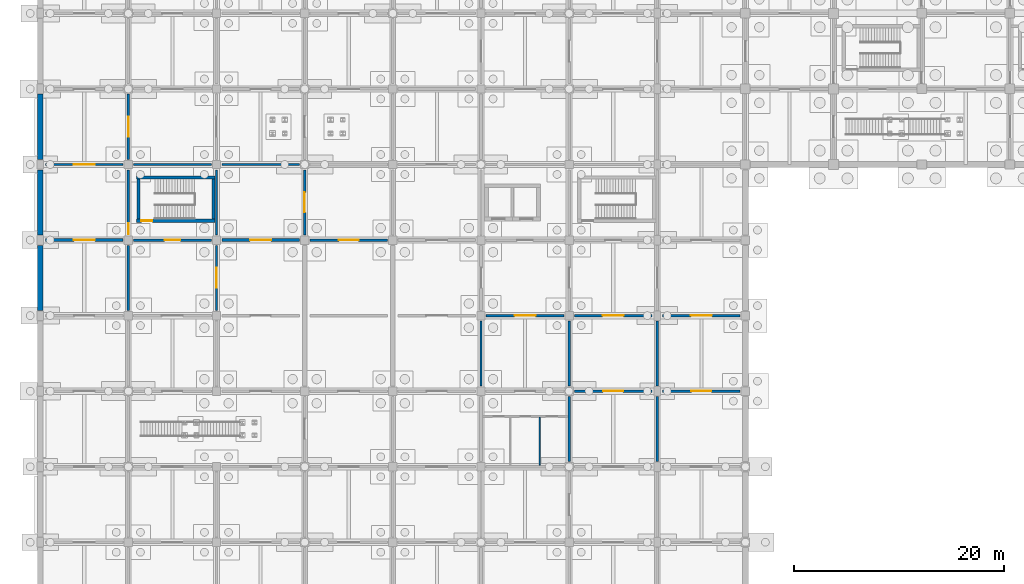
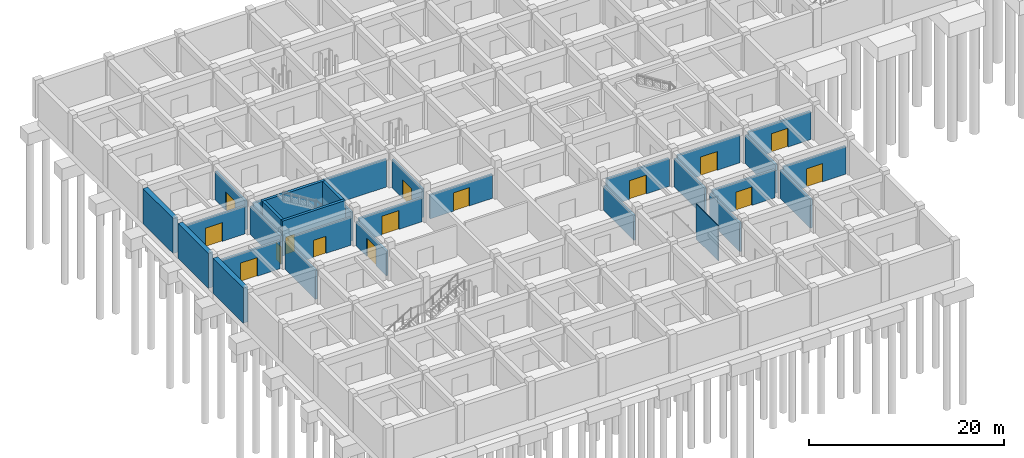
# One storey, part 25 of 38: 31 walls, 15 doors, 15 openings.
"""IFC4 building model written with IfcOpenShell, lengths in metres."""

from ifc_helpers import new_model, si_unit, derived_unit, direction, frame, frame_2d, origin, place, context, subcontext, project, spatial, rectangle, extrude, material, layer, layer_set, type_object, element, fill, save


model = new_model("IFC4")

# Units and contexts
model_context = context("Model", 3, precision=1e-05, world=origin(), true_north=direction((0.0, 1.0)))
body_context = subcontext(model_context, "Body", "Model", "MODEL_VIEW")
ifc_project = project(units=[si_unit("LENGTHUNIT", "METRE"), si_unit("AREAUNIT", "SQUARE_METRE"), si_unit("VOLUMEUNIT", "CUBIC_METRE"), si_unit("PLANEANGLEUNIT", "RADIAN"), si_unit("MASSUNIT", "GRAM", prefix="KILO"), derived_unit("THERMALTRANSMITTANCEUNIT", [(si_unit("MASSUNIT", "GRAM", prefix="KILO"), 1), (si_unit("TIMEUNIT", "SECOND"), -3), (si_unit("THERMODYNAMICTEMPERATUREUNIT", "KELVIN"), -1)])], contexts=[model_context])

# Site, building, storey
site_placement = place(None, origin())
site = spatial("IfcSite", under=ifc_project, at=site_placement, CompositionType="ELEMENT")
building_placement = place(site_placement, origin())
building = spatial("IfcBuilding", under=site, at=building_placement, Name="Veldstrom Oceanarium and Marine Research Institute", CompositionType="ELEMENT")
storey_placement = place(building_placement, frame((0.0, 0.0, -9.60009765625)))
storey = spatial("IfcBuildingStorey", under=building, at=storey_placement, Name="B02", CompositionType="ELEMENT", Elevation=-9.60009765625)

# Wall, opening, door
ifc_material_1 = material(Name="Masonry Fire Compartment Wall", Category="masonry")
ifc_layer_1 = layer(ifc_material_1, 0.22998046875)
ifc_layer_set_1 = layer_set([ifc_layer_1], Name="ARC-WAL-PT1")
wall_type_1 = type_object("IfcWallType", Name="ARC-WAL-PT1", PredefinedType="PARTITIONING", material=ifc_layer_set_1)
wall_1_placement = place(storey_placement, frame((8.39990234375, 36.5, 0.0), z_axis=(0.0, 0.0, 1.0), x_axis=(0.0, 1.0, 0.0)))
wall_1 = element("IfcWall", 1, at=wall_1_placement, inside=storey, type_object=wall_type_1, Name="Interior Partition PT1 B02-0017", PredefinedType="PARTITIONING", context=body_context, shape_type="SweptSolid", body=[
    extrude(rectangle(XDim=6.199951171875, YDim=0.22998046875, at=frame_2d((3.10009765625, 0.0))), origin(), (0.0, 0.0, 1.0), 3.59521484375),
])
opening_1_placement = place(wall_1_placement, frame((0.050048828125, 0.0, 0.0)))
opening_1 = element("IfcOpeningElement", 2, at=opening_1_placement, cuts=wall_1, Name="Opening D-B02-012", PredefinedType="OPENING", context=body_context, shape_type="SweptSolid", body=[
    extrude(rectangle(XDim=1.050048828125, YDim=2.14990234375, at=frame_2d((0.52490234375, 1.074951171875))), frame((0.0, 0.125, 0.0), z_axis=(0.0, -1.0, 0.0), x_axis=(1.0, 0.0, 0.0)), (0.0, 0.0, 1.0), 0.25),
])
ifc_material_2 = material(Name="Painted Steel Fire Door", Category="steel")
door_type_1 = type_object("IfcDoorType", Name="ARC-DOR-SD1", OperationType="SINGLE_SWING_LEFT", PredefinedType="DOOR", material=ifc_material_2)
door_1_placement = place(opening_1_placement, origin())
door_1 = element("IfcDoor", 3, at=door_1_placement, inside=storey, type_object=door_type_1, Name="Interior Door D-B02-012", OperationType="SINGLE_SWING_LEFT", OverallHeight=2.14990234375, OverallWidth=1.050048828125, PredefinedType="DOOR", context=body_context, shape_type="SweptSolid", body=[
    extrude(rectangle(XDim=1.050048828125, YDim=2.14990234375, at=frame_2d((0.52490234375, 1.074951171875))), frame((0.0, 0.02490234375, 0.0), z_axis=(0.0, -1.0, 0.0), x_axis=(1.0, 0.0, 0.0)), (0.0, 0.0, 1.0), 0.050048828125),
])
fill(opening_1, door_1)

wall_2_placement = place(storey_placement, frame((0.5, 43.199951171875, 0.0), z_axis=(0.0, 0.0, 1.0), x_axis=(1.0, 0.0, 0.0)))
wall_2 = element("IfcWall", 4, at=wall_2_placement, inside=storey, type_object=wall_type_1, Name="Interior Partition PT1 B02-0018", PredefinedType="PARTITIONING", context=body_context, shape_type="SweptSolid", body=[
    extrude(rectangle(XDim=7.39990234375, YDim=0.22998046875, at=frame_2d((3.699951171875, 0.0))), origin(), (0.0, 0.0, 1.0), 3.4951171875),
])
opening_2_placement = place(wall_2_placement, frame((2.699951171875, 0.0, 0.0)))
opening_2 = element("IfcOpeningElement", 5, at=opening_2_placement, cuts=wall_2, Name="Opening D-B02-013", PredefinedType="OPENING", context=body_context, shape_type="SweptSolid", body=[
    extrude(rectangle(XDim=2.0, YDim=2.35009765625, at=frame_2d((1.0, 1.175048828125))), frame((0.0, 0.125, 0.0), z_axis=(0.0, -1.0, 0.0), x_axis=(1.0, 0.0, 0.0)), (0.0, 0.0, 1.0), 0.25),
])
ifc_material_3 = material(Name="Filtration Hall Double Door", Category="steel")
door_type_2 = type_object("IfcDoorType", Name="ARC-DOR-ID18", OperationType="DOUBLE_DOOR_SINGLE_SWING", PredefinedType="DOOR", material=ifc_material_3)
door_2_placement = place(opening_2_placement, frame((2.0, 0.0, 0.0), z_axis=(0.0, 0.0, 1.0), x_axis=(-1.0, 0.0, 0.0)))
door_2 = element("IfcDoor", 6, at=door_2_placement, inside=storey, type_object=door_type_2, Name="Interior Door D-B02-013", OperationType="DOUBLE_DOOR_SINGLE_SWING", OverallHeight=2.35009765625, OverallWidth=2.0, PredefinedType="DOOR", context=body_context, shape_type="SweptSolid", body=[
    extrude(rectangle(XDim=2.0, YDim=2.35009765625, at=frame_2d((1.0, 1.175048828125))), frame((0.0, 0.02490234375, 0.0), z_axis=(0.0, -1.0, 0.0), x_axis=(1.0, 0.0, 0.0)), (0.0, 0.0, 1.0), 0.050048828125),
])
fill(opening_2, door_2)

wall_3_placement = place(storey_placement, frame((16.800048828125, 29.300048828125, 0.0), z_axis=(0.0, 0.0, 1.0), x_axis=(0.0, 1.0, 0.0)))
wall_3 = element("IfcWall", 7, at=wall_3_placement, inside=storey, type_object=wall_type_1, Name="Interior Partition PT1 B02-0033", PredefinedType="PARTITIONING", context=body_context, shape_type="SweptSolid", body=[
    extrude(rectangle(XDim=6.199951171875, YDim=0.22998046875, at=frame_2d((3.10009765625, 0.0))), origin(), (0.0, 0.0, 1.0), 3.09521484375),
])
opening_3_placement = place(wall_3_placement, frame((2.14990234375, 0.0, 0.0)))
opening_3 = element("IfcOpeningElement", 8, at=opening_3_placement, cuts=wall_3, Name="Opening D-B02-022", PredefinedType="OPENING", context=body_context, shape_type="SweptSolid", body=[
    extrude(rectangle(XDim=1.89990234375, YDim=2.300048828125, at=frame_2d((0.949951171875, 1.14990234375))), frame((0.0, 0.125, 0.0), z_axis=(0.0, -1.0, 0.0), x_axis=(1.0, 0.0, 0.0)), (0.0, 0.0, 1.0), 0.25),
])
ifc_material_4 = material(Name="Plant Hall Equipment Door", Category="steel")
door_type_3 = type_object("IfcDoorType", Name="ARC-DOR-ID12", OperationType="DOUBLE_DOOR_SINGLE_SWING", PredefinedType="DOOR", material=ifc_material_4)
door_3_placement = place(opening_3_placement, origin())
door_3 = element("IfcDoor", 9, at=door_3_placement, inside=storey, type_object=door_type_3, Name="Interior Door D-B02-022", OperationType="DOUBLE_DOOR_SINGLE_SWING", OverallHeight=2.300048828125, OverallWidth=1.89990234375, PredefinedType="DOOR", context=body_context, shape_type="SweptSolid", body=[
    extrude(rectangle(XDim=1.89990234375, YDim=2.300048828125, at=frame_2d((0.949951171875, 1.14990234375))), frame((0.0, 0.02490234375, 0.0), z_axis=(0.0, -1.0, 0.0), x_axis=(1.0, 0.0, 0.0)), (0.0, 0.0, 1.0), 0.050048828125),
])
fill(opening_3, door_3)

wall_4_placement = place(storey_placement, frame((8.89990234375, 36.0, 0.0), z_axis=(0.0, 0.0, 1.0), x_axis=(1.0, 0.0, 0.0)))
wall_4 = element("IfcWall", 10, at=wall_4_placement, inside=storey, type_object=wall_type_1, Name="Interior Partition PT1 B02-0034", PredefinedType="PARTITIONING", context=body_context, shape_type="SweptSolid", body=[
    extrude(rectangle(XDim=7.400146484375, YDim=0.22998046875, at=frame_2d((3.7001953125, 0.0))), origin(), (0.0, 0.0, 1.0), 3.4951171875),
])
opening_4_placement = place(wall_4_placement, frame((2.949951171875, 0.0, 0.0)))
opening_4 = element("IfcOpeningElement", 11, at=opening_4_placement, cuts=wall_4, Name="Opening D-B02-023", PredefinedType="OPENING", context=body_context, shape_type="SweptSolid", body=[
    extrude(rectangle(XDim=1.5, YDim=2.14990234375, at=frame_2d((0.75, 1.074951171875))), frame((0.0, 0.125, 0.0), z_axis=(0.0, -1.0, 0.0), x_axis=(1.0, 0.0, 0.0)), (0.0, 0.0, 1.0), 0.25),
])
ifc_material_5 = material(Name="Painted Steel Lobby Fire Door", Category="steel")
door_type_4 = type_object("IfcDoorType", Name="ARC-DOR-SD2", OperationType="DOUBLE_DOOR_SINGLE_SWING", PredefinedType="DOOR", material=ifc_material_5)
door_4_placement = place(opening_4_placement, frame((1.5, 0.0, 0.0), z_axis=(0.0, 0.0, 1.0), x_axis=(-1.0, 0.0, 0.0)))
door_4 = element("IfcDoor", 12, at=door_4_placement, inside=storey, type_object=door_type_4, Name="Interior Door D-B02-023", OperationType="DOUBLE_DOOR_SINGLE_SWING", OverallHeight=2.14990234375, OverallWidth=1.5, PredefinedType="DOOR", context=body_context, shape_type="SweptSolid", body=[
    extrude(rectangle(XDim=1.5, YDim=2.14990234375, at=frame_2d((0.75, 1.074951171875))), frame((0.0, 0.02490234375, 0.0), z_axis=(0.0, -1.0, 0.0), x_axis=(1.0, 0.0, 0.0)), (0.0, 0.0, 1.0), 0.050048828125),
])
fill(opening_4, door_4)

# Walls
wall_5_placement = place(storey_placement, frame((16.800048828125, 36.5, 0.0), z_axis=(0.0, 0.0, 1.0), x_axis=(0.0, 1.0, 0.0)))
element("IfcWall", 13, at=wall_5_placement, inside=storey, type_object=wall_type_1, Name="Interior Partition PT1 B02-0035", PredefinedType="PARTITIONING", context=body_context, shape_type="SweptSolid", body=[
    extrude(rectangle(XDim=6.199951171875, YDim=0.22998046875, at=frame_2d((3.10009765625, 0.0))), origin(), (0.0, 0.0, 1.0), 3.59521484375),
])
wall_6_placement = place(storey_placement, frame((8.89990234375, 43.199951171875, 0.0), z_axis=(0.0, 0.0, 1.0), x_axis=(1.0, 0.0, 0.0)))
element("IfcWall", 14, at=wall_6_placement, inside=storey, type_object=wall_type_1, Name="Interior Partition PT1 B02-0036", PredefinedType="PARTITIONING", context=body_context, shape_type="SweptSolid", body=[
    extrude(rectangle(XDim=7.400146484375, YDim=0.22998046875, at=frame_2d((3.7001953125, 0.0))), origin(), (0.0, 0.0, 1.0), 3.4951171875),
])

# Wall, opening, door
wall_7_placement = place(storey_placement, frame((25.199951171875, 36.5, 0.0), z_axis=(0.0, 0.0, 1.0), x_axis=(0.0, 1.0, 0.0)))
wall_7 = element("IfcWall", 15, at=wall_7_placement, inside=storey, type_object=wall_type_1, Name="Interior Partition PT1 B02-0052", PredefinedType="PARTITIONING", context=body_context, shape_type="SweptSolid", body=[
    extrude(rectangle(XDim=6.199951171875, YDim=0.22998046875, at=frame_2d((3.10009765625, 0.0))), origin(), (0.0, 0.0, 1.0), 3.59521484375),
])
opening_5_placement = place(wall_7_placement, frame((2.14990234375, 0.0, 0.0)))
opening_5 = element("IfcOpeningElement", 16, at=opening_5_placement, cuts=wall_7, Name="Opening D-B02-034", PredefinedType="OPENING", context=body_context, shape_type="SweptSolid", body=[
    extrude(rectangle(XDim=1.89990234375, YDim=2.300048828125, at=frame_2d((0.949951171875, 1.14990234375))), frame((0.0, 0.125, 0.0), z_axis=(0.0, -1.0, 0.0), x_axis=(1.0, 0.0, 0.0)), (0.0, 0.0, 1.0), 0.25),
])
door_5_placement = place(opening_5_placement, origin())
door_5 = element("IfcDoor", 17, at=door_5_placement, inside=storey, type_object=door_type_3, Name="Interior Door D-B02-034", OperationType="DOUBLE_DOOR_SINGLE_SWING", OverallHeight=2.300048828125, OverallWidth=1.89990234375, PredefinedType="DOOR", context=body_context, shape_type="SweptSolid", body=[
    extrude(rectangle(XDim=1.89990234375, YDim=2.300048828125, at=frame_2d((0.949951171875, 1.14990234375))), frame((0.0, 0.02490234375, 0.0), z_axis=(0.0, -1.0, 0.0), x_axis=(1.0, 0.0, 0.0)), (0.0, 0.0, 1.0), 0.050048828125),
])
fill(opening_5, door_5)

# Wall
wall_8_placement = place(storey_placement, frame((17.300048828125, 43.199951171875, 0.0), z_axis=(0.0, 0.0, 1.0), x_axis=(1.0, 0.0, 0.0)))
element("IfcWall", 18, at=wall_8_placement, inside=storey, type_object=wall_type_1, Name="Interior Partition PT1 B02-0053", PredefinedType="PARTITIONING", context=body_context, shape_type="SweptSolid", body=[
    extrude(rectangle(XDim=7.39990234375, YDim=0.22998046875, at=frame_2d((3.699951171875, 0.0))), origin(), (0.0, 0.0, 1.0), 3.4951171875),
])

# Wall, opening, door
wall_9_placement = place(storey_placement, frame((25.699951171875, 36.0, 0.0), z_axis=(0.0, 0.0, 1.0), x_axis=(1.0, 0.0, 0.0)))
wall_9 = element("IfcWall", 19, at=wall_9_placement, inside=storey, type_object=wall_type_1, Name="Interior Partition PT1 B02-0068", PredefinedType="PARTITIONING", context=body_context, shape_type="SweptSolid", body=[
    extrude(rectangle(XDim=7.400146484375, YDim=0.22998046875, at=frame_2d((3.7001953125, 0.0))), origin(), (0.0, 0.0, 1.0), 2.9951171875),
])
opening_6_placement = place(wall_9_placement, frame((2.75, 0.0, 0.0)))
opening_6 = element("IfcOpeningElement", 20, at=opening_6_placement, cuts=wall_9, Name="Opening D-B02-042", PredefinedType="OPENING", context=body_context, shape_type="SweptSolid", body=[
    extrude(rectangle(XDim=1.89990234375, YDim=2.300048828125, at=frame_2d((0.949951171875, 1.14990234375))), frame((0.0, 0.125, 0.0), z_axis=(0.0, -1.0, 0.0), x_axis=(1.0, 0.0, 0.0)), (0.0, 0.0, 1.0), 0.25),
])
door_6_placement = place(opening_6_placement, frame((1.89990234375, 0.0, 0.0), z_axis=(0.0, 0.0, 1.0), x_axis=(-1.0, 0.0, 0.0)))
door_6 = element("IfcDoor", 21, at=door_6_placement, inside=storey, type_object=door_type_3, Name="Interior Door D-B02-042", OperationType="DOUBLE_DOOR_SINGLE_SWING", OverallHeight=2.300048828125, OverallWidth=1.89990234375, PredefinedType="DOOR", context=body_context, shape_type="SweptSolid", body=[
    extrude(rectangle(XDim=1.89990234375, YDim=2.300048828125, at=frame_2d((0.949951171875, 1.14990234375))), frame((0.0, 0.02490234375, 0.0), z_axis=(0.0, -1.0, 0.0), x_axis=(1.0, 0.0, 0.0)), (0.0, 0.0, 1.0), 0.050048828125),
])
fill(opening_6, door_6)

# Walls
wall_10_placement = place(storey_placement, frame((42.0, 22.10009765625, 0.0), z_axis=(0.0, 0.0, 1.0), x_axis=(0.0, 1.0, 0.0)))
element("IfcWall", 22, at=wall_10_placement, inside=storey, type_object=wall_type_1, Name="Interior Partition PT1 B02-0084", PredefinedType="PARTITIONING", context=body_context, shape_type="SweptSolid", body=[
    extrude(rectangle(XDim=6.199951171875, YDim=0.22998046875, at=frame_2d((3.10009765625, 0.0))), origin(), (0.0, 0.0, 1.0), 3.09521484375),
])
wall_11_placement = place(storey_placement, frame((50.39990234375, 14.89990234375, 0.0), z_axis=(0.0, 0.0, 1.0), x_axis=(0.0, 1.0, 0.0)))
element("IfcWall", 23, at=wall_11_placement, inside=storey, type_object=wall_type_1, Name="Interior Partition PT1 B02-0101", PredefinedType="PARTITIONING", context=body_context, shape_type="SweptSolid", body=[
    extrude(rectangle(XDim=6.2001953125, YDim=0.22998046875, at=frame_2d((3.10009765625, 0.0))), origin(), (0.0, 0.0, 1.0), 3.59521484375),
])
wall_12_placement = place(storey_placement, frame((58.800048828125, 22.10009765625, 0.0), z_axis=(0.0, 0.0, 1.0), x_axis=(0.0, 1.0, 0.0)))
element("IfcWall", 24, at=wall_12_placement, inside=storey, type_object=wall_type_1, Name="Interior Partition PT1 B02-0122", PredefinedType="PARTITIONING", context=body_context, shape_type="SweptSolid", body=[
    extrude(rectangle(XDim=6.199951171875, YDim=0.22998046875, at=frame_2d((3.10009765625, 0.0))), origin(), (0.0, 0.0, 1.0), 3.59521484375),
])

# Wall, opening, door
wall_13_placement = place(storey_placement, frame((50.89990234375, 28.800048828125, 0.0), z_axis=(0.0, 0.0, 1.0), x_axis=(1.0, 0.0, 0.0)))
wall_13 = element("IfcWall", 25, at=wall_13_placement, inside=storey, type_object=wall_type_1, Name="Interior Partition PT1 B02-0123", PredefinedType="PARTITIONING", context=body_context, shape_type="SweptSolid", body=[
    extrude(rectangle(XDim=7.400146484375, YDim=0.22998046875, at=frame_2d((3.7001953125, 0.0))), origin(), (0.0, 0.0, 1.0), 3.4951171875),
])
opening_7_placement = place(wall_13_placement, frame((2.699951171875, 0.0, 0.0)))
opening_7 = element("IfcOpeningElement", 26, at=opening_7_placement, cuts=wall_13, Name="Opening D-B02-069", PredefinedType="OPENING", context=body_context, shape_type="SweptSolid", body=[
    extrude(rectangle(XDim=2.0, YDim=2.35009765625, at=frame_2d((1.0, 1.175048828125))), frame((0.0, 0.125, 0.0), z_axis=(0.0, -1.0, 0.0), x_axis=(1.0, 0.0, 0.0)), (0.0, 0.0, 1.0), 0.25),
])
door_7_placement = place(opening_7_placement, frame((2.0, 0.0, 0.0), z_axis=(0.0, 0.0, 1.0), x_axis=(-1.0, 0.0, 0.0)))
door_7 = element("IfcDoor", 27, at=door_7_placement, inside=storey, type_object=door_type_2, Name="Interior Door D-B02-069", OperationType="DOUBLE_DOOR_SINGLE_SWING", OverallHeight=2.35009765625, OverallWidth=2.0, PredefinedType="DOOR", context=body_context, shape_type="SweptSolid", body=[
    extrude(rectangle(XDim=2.0, YDim=2.35009765625, at=frame_2d((1.0, 1.175048828125))), frame((0.0, 0.02490234375, 0.0), z_axis=(0.0, -1.0, 0.0), x_axis=(1.0, 0.0, 0.0)), (0.0, 0.0, 1.0), 0.050048828125),
])
fill(opening_7, door_7)

wall_14_placement = place(storey_placement, frame((59.300048828125, 21.60009765625, 0.0), z_axis=(0.0, 0.0, 1.0), x_axis=(1.0, 0.0, 0.0)))
wall_14 = element("IfcWall", 28, at=wall_14_placement, inside=storey, type_object=wall_type_1, Name="Interior Partition PT1 B02-0137", PredefinedType="PARTITIONING", context=body_context, shape_type="SweptSolid", body=[
    extrude(rectangle(XDim=7.39990234375, YDim=0.22998046875, at=frame_2d((3.699951171875, 0.0))), origin(), (0.0, 0.0, 1.0), 3.4951171875),
])
opening_8_placement = place(wall_14_placement, frame((2.75, 0.0, 0.0)))
opening_8 = element("IfcOpeningElement", 29, at=opening_8_placement, cuts=wall_14, Name="Opening D-B02-078", PredefinedType="OPENING", context=body_context, shape_type="SweptSolid", body=[
    extrude(rectangle(XDim=1.89990234375, YDim=2.300048828125, at=frame_2d((0.949951171875, 1.14990234375))), frame((0.0, 0.125, 0.0), z_axis=(0.0, -1.0, 0.0), x_axis=(1.0, 0.0, 0.0)), (0.0, 0.0, 1.0), 0.25),
])
door_8_placement = place(opening_8_placement, frame((1.89990234375, 0.0, 0.0), z_axis=(0.0, 0.0, 1.0), x_axis=(-1.0, 0.0, 0.0)))
door_8 = element("IfcDoor", 30, at=door_8_placement, inside=storey, type_object=door_type_3, Name="Interior Door D-B02-078", OperationType="DOUBLE_DOOR_SINGLE_SWING", OverallHeight=2.300048828125, OverallWidth=1.89990234375, PredefinedType="DOOR", context=body_context, shape_type="SweptSolid", body=[
    extrude(rectangle(XDim=1.89990234375, YDim=2.300048828125, at=frame_2d((0.949951171875, 1.14990234375))), frame((0.0, 0.02490234375, 0.0), z_axis=(0.0, -1.0, 0.0), x_axis=(1.0, 0.0, 0.0)), (0.0, 0.0, 1.0), 0.050048828125),
])
fill(opening_8, door_8)

# Walls
ifc_material_6 = material(Name="Sanitary Cubicle Partition", Category="gypsum")
ifc_layer_2 = layer(ifc_material_6, 0.10009765625)
ifc_layer_set_2 = layer_set([ifc_layer_2], Name="ARC-WAL-PT7")
wall_type_2 = type_object("IfcWallType", Name="ARC-WAL-PT7", PredefinedType="PARTITIONING", material=ifc_layer_set_2)
wall_15_placement = place(storey_placement, frame((47.60009765625, 14.550048828125, 0.0), z_axis=(0.0, 0.0, 1.0), x_axis=(0.0, 1.0, 0.0)))
element("IfcWall", 31, at=wall_15_placement, inside=storey, type_object=wall_type_2, Name="Sanitary Stall Divider Wall B02-0006", PredefinedType="PARTITIONING", context=body_context, shape_type="SweptSolid", body=[
    extrude(rectangle(XDim=4.58984375, YDim=0.10009765625, at=frame_2d((2.294921875, 0.0))), origin(), (0.0, 0.0, 1.0), 4.400146484375),
])
ifc_material_7 = material(Name="Plant Acoustic Masonry Wall", Category="masonry")
ifc_layer_3 = layer(ifc_material_7, 0.260009765625)
ifc_layer_set_3 = layer_set([ifc_layer_3], Name="ARC-WAL-PT8")
wall_type_3 = type_object("IfcWallType", Name="ARC-WAL-PT8", PredefinedType="PARTITIONING", material=ifc_layer_set_3)
wall_16_placement = place(storey_placement, frame((8.39990234375, 29.300048828125, 0.0), z_axis=(0.0, 0.0, 1.0), x_axis=(0.0, 1.0, 0.0)))
element("IfcWall", 32, at=wall_16_placement, inside=storey, type_object=wall_type_3, Name="Interior Partition PT8 B02-0015", PredefinedType="PARTITIONING", context=body_context, shape_type="SweptSolid", body=[
    extrude(rectangle(XDim=6.199951171875, YDim=0.260009765625, at=frame_2d((3.10009765625, 0.0))), origin(), (0.0, 0.0, 1.0), 3.59521484375),
])

# Wall, opening, door
wall_17_placement = place(storey_placement, frame((0.5, 36.0, 0.0), z_axis=(0.0, 0.0, 1.0), x_axis=(1.0, 0.0, 0.0)))
wall_17 = element("IfcWall", 33, at=wall_17_placement, inside=storey, type_object=wall_type_3, Name="Interior Partition PT8 B02-0016", PredefinedType="PARTITIONING", context=body_context, shape_type="SweptSolid", body=[
    extrude(rectangle(XDim=7.39990234375, YDim=0.260009765625, at=frame_2d((3.699951171875, 0.0))), origin(), (0.0, 0.0, 1.0), 3.4951171875),
])
opening_9_placement = place(wall_17_placement, frame((2.699951171875, 0.0, 0.0)))
opening_9 = element("IfcOpeningElement", 34, at=opening_9_placement, cuts=wall_17, Name="Opening D-B02-011", PredefinedType="OPENING", context=body_context, shape_type="SweptSolid", body=[
    extrude(rectangle(XDim=2.0, YDim=2.35009765625, at=frame_2d((1.0, 1.175048828125))), frame((0.0, 0.139892578125, 0.0), z_axis=(0.0, -1.0, 0.0), x_axis=(1.0, 0.0, 0.0)), (0.0, 0.0, 1.0), 0.280029296875),
])
door_9_placement = place(opening_9_placement, origin())
door_9 = element("IfcDoor", 35, at=door_9_placement, inside=storey, type_object=door_type_2, Name="Interior Door D-B02-011", OperationType="DOUBLE_DOOR_SINGLE_SWING", OverallHeight=2.35009765625, OverallWidth=2.0, PredefinedType="DOOR", context=body_context, shape_type="SweptSolid", body=[
    extrude(rectangle(XDim=2.0, YDim=2.35009765625, at=frame_2d((1.0, 1.175048828125))), frame((0.0, 0.02490234375, 0.0), z_axis=(0.0, -1.0, 0.0), x_axis=(1.0, 0.0, 0.0)), (0.0, 0.0, 1.0), 0.050048828125),
])
fill(opening_9, door_9)

wall_18_placement = place(storey_placement, frame((8.39990234375, 43.699951171875, 0.0), z_axis=(0.0, 0.0, 1.0), x_axis=(0.0, 1.0, 0.0)))
wall_18 = element("IfcWall", 36, at=wall_18_placement, inside=storey, type_object=wall_type_3, Name="Interior Partition PT8 B02-0019", PredefinedType="PARTITIONING", context=body_context, shape_type="SweptSolid", body=[
    extrude(rectangle(XDim=6.199951171875, YDim=0.260009765625, at=frame_2d((3.10009765625, 0.0))), origin(), (0.0, 0.0, 1.0), 3.59521484375),
])
opening_10_placement = place(wall_18_placement, frame((2.14990234375, 0.0, 0.0)))
opening_10 = element("IfcOpeningElement", 37, at=opening_10_placement, cuts=wall_18, Name="Opening D-B02-014", PredefinedType="OPENING", context=body_context, shape_type="SweptSolid", body=[
    extrude(rectangle(XDim=1.89990234375, YDim=2.300048828125, at=frame_2d((0.949951171875, 1.14990234375))), frame((0.0, 0.139892578125, 0.0), z_axis=(0.0, -1.0, 0.0), x_axis=(1.0, 0.0, 0.0)), (0.0, 0.0, 1.0), 0.280029296875),
])
door_10_placement = place(opening_10_placement, frame((1.89990234375, 0.0, 0.0), z_axis=(0.0, 0.0, 1.0), x_axis=(-1.0, 0.0, 0.0)))
door_10 = element("IfcDoor", 38, at=door_10_placement, inside=storey, type_object=door_type_3, Name="Interior Door D-B02-014", OperationType="DOUBLE_DOOR_SINGLE_SWING", OverallHeight=2.300048828125, OverallWidth=1.89990234375, PredefinedType="DOOR", context=body_context, shape_type="SweptSolid", body=[
    extrude(rectangle(XDim=1.89990234375, YDim=2.300048828125, at=frame_2d((0.949951171875, 1.14990234375))), frame((0.0, 0.02490234375, 0.0), z_axis=(0.0, -1.0, 0.0), x_axis=(1.0, 0.0, 0.0)), (0.0, 0.0, 1.0), 0.050048828125),
])
fill(opening_10, door_10)

wall_19_placement = place(storey_placement, frame((17.300048828125, 36.0, 0.0), z_axis=(0.0, 0.0, 1.0), x_axis=(1.0, 0.0, 0.0)))
wall_19 = element("IfcWall", 39, at=wall_19_placement, inside=storey, type_object=wall_type_3, Name="Interior Partition PT8 B02-0051", PredefinedType="PARTITIONING", context=body_context, shape_type="SweptSolid", body=[
    extrude(rectangle(XDim=7.39990234375, YDim=0.260009765625, at=frame_2d((3.699951171875, 0.0))), origin(), (0.0, 0.0, 1.0), 2.9951171875),
])
opening_11_placement = place(wall_19_placement, frame((2.699951171875, 0.0, 0.0)))
opening_11 = element("IfcOpeningElement", 40, at=opening_11_placement, cuts=wall_19, Name="Opening D-B02-033", PredefinedType="OPENING", context=body_context, shape_type="SweptSolid", body=[
    extrude(rectangle(XDim=2.0, YDim=2.35009765625, at=frame_2d((1.0, 1.175048828125))), frame((0.0, 0.139892578125, 0.0), z_axis=(0.0, -1.0, 0.0), x_axis=(1.0, 0.0, 0.0)), (0.0, 0.0, 1.0), 0.280029296875),
])
door_11_placement = place(opening_11_placement, origin())
door_11 = element("IfcDoor", 41, at=door_11_placement, inside=storey, type_object=door_type_2, Name="Interior Door D-B02-033", OperationType="DOUBLE_DOOR_SINGLE_SWING", OverallHeight=2.35009765625, OverallWidth=2.0, PredefinedType="DOOR", context=body_context, shape_type="SweptSolid", body=[
    extrude(rectangle(XDim=2.0, YDim=2.35009765625, at=frame_2d((1.0, 1.175048828125))), frame((0.0, 0.02490234375, 0.0), z_axis=(0.0, -1.0, 0.0), x_axis=(1.0, 0.0, 0.0)), (0.0, 0.0, 1.0), 0.050048828125),
])
fill(opening_11, door_11)

# Wall
wall_20_placement = place(storey_placement, frame((50.39990234375, 22.10009765625, 0.0), z_axis=(0.0, 0.0, 1.0), x_axis=(0.0, 1.0, 0.0)))
element("IfcWall", 42, at=wall_20_placement, inside=storey, type_object=wall_type_3, Name="Interior Partition PT8 B02-0103", PredefinedType="PARTITIONING", context=body_context, shape_type="SweptSolid", body=[
    extrude(rectangle(XDim=6.199951171875, YDim=0.260009765625, at=frame_2d((3.10009765625, 0.0))), origin(), (0.0, 0.0, 1.0), 3.59521484375),
])

# Wall, opening, door
wall_21_placement = place(storey_placement, frame((42.5, 28.800048828125, 0.0), z_axis=(0.0, 0.0, 1.0), x_axis=(1.0, 0.0, 0.0)))
wall_21 = element("IfcWall", 43, at=wall_21_placement, inside=storey, type_object=wall_type_3, Name="Interior Partition PT8 B02-0104", PredefinedType="PARTITIONING", context=body_context, shape_type="SweptSolid", body=[
    extrude(rectangle(XDim=7.39990234375, YDim=0.260009765625, at=frame_2d((3.699951171875, 0.0))), origin(), (0.0, 0.0, 1.0), 3.4951171875),
])
opening_12_placement = place(wall_21_placement, frame((2.699951171875, 0.0, 0.0)))
opening_12 = element("IfcOpeningElement", 44, at=opening_12_placement, cuts=wall_21, Name="Opening D-B02-059", PredefinedType="OPENING", context=body_context, shape_type="SweptSolid", body=[
    extrude(rectangle(XDim=2.0, YDim=2.35009765625, at=frame_2d((1.0, 1.175048828125))), frame((0.0, 0.139892578125, 0.0), z_axis=(0.0, -1.0, 0.0), x_axis=(1.0, 0.0, 0.0)), (0.0, 0.0, 1.0), 0.280029296875),
])
door_12_placement = place(opening_12_placement, origin())
door_12 = element("IfcDoor", 45, at=door_12_placement, inside=storey, type_object=door_type_2, Name="Interior Door D-B02-059", OperationType="DOUBLE_DOOR_SINGLE_SWING", OverallHeight=2.35009765625, OverallWidth=2.0, PredefinedType="DOOR", context=body_context, shape_type="SweptSolid", body=[
    extrude(rectangle(XDim=2.0, YDim=2.35009765625, at=frame_2d((1.0, 1.175048828125))), frame((0.0, 0.02490234375, 0.0), z_axis=(0.0, -1.0, 0.0), x_axis=(1.0, 0.0, 0.0)), (0.0, 0.0, 1.0), 0.050048828125),
])
fill(opening_12, door_12)

# Wall
wall_22_placement = place(storey_placement, frame((58.800048828125, 14.89990234375, 0.0), z_axis=(0.0, 0.0, 1.0), x_axis=(0.0, 1.0, 0.0)))
element("IfcWall", 46, at=wall_22_placement, inside=storey, type_object=wall_type_3, Name="Interior Partition PT8 B02-0120", PredefinedType="PARTITIONING", context=body_context, shape_type="SweptSolid", body=[
    extrude(rectangle(XDim=6.2001953125, YDim=0.260009765625, at=frame_2d((3.10009765625, 0.0))), origin(), (0.0, 0.0, 1.0), 3.59521484375),
])

# Wall, opening, door
wall_23_placement = place(storey_placement, frame((50.89990234375, 21.60009765625, 0.0), z_axis=(0.0, 0.0, 1.0), x_axis=(1.0, 0.0, 0.0)))
wall_23 = element("IfcWall", 47, at=wall_23_placement, inside=storey, type_object=wall_type_3, Name="Interior Partition PT8 B02-0121", PredefinedType="PARTITIONING", context=body_context, shape_type="SweptSolid", body=[
    extrude(rectangle(XDim=7.400146484375, YDim=0.260009765625, at=frame_2d((3.7001953125, 0.0))), origin(), (0.0, 0.0, 1.0), 3.4951171875),
])
opening_13_placement = place(wall_23_placement, frame((2.75, 0.0, 0.0)))
opening_13 = element("IfcOpeningElement", 48, at=opening_13_placement, cuts=wall_23, Name="Opening D-B02-068", PredefinedType="OPENING", context=body_context, shape_type="SweptSolid", body=[
    extrude(rectangle(XDim=1.89990234375, YDim=2.300048828125, at=frame_2d((0.949951171875, 1.14990234375))), frame((0.0, 0.139892578125, 0.0), z_axis=(0.0, -1.0, 0.0), x_axis=(1.0, 0.0, 0.0)), (0.0, 0.0, 1.0), 0.280029296875),
])
door_13_placement = place(opening_13_placement, origin())
door_13 = element("IfcDoor", 49, at=door_13_placement, inside=storey, type_object=door_type_3, Name="Interior Door D-B02-068", OperationType="DOUBLE_DOOR_SINGLE_SWING", OverallHeight=2.300048828125, OverallWidth=1.89990234375, PredefinedType="DOOR", context=body_context, shape_type="SweptSolid", body=[
    extrude(rectangle(XDim=1.89990234375, YDim=2.300048828125, at=frame_2d((0.949951171875, 1.14990234375))), frame((0.0, 0.02490234375, 0.0), z_axis=(0.0, -1.0, 0.0), x_axis=(1.0, 0.0, 0.0)), (0.0, 0.0, 1.0), 0.050048828125),
])
fill(opening_13, door_13)

wall_24_placement = place(storey_placement, frame((59.300048828125, 28.800048828125, 0.0), z_axis=(0.0, 0.0, 1.0), x_axis=(1.0, 0.0, 0.0)))
wall_24 = element("IfcWall", 50, at=wall_24_placement, inside=storey, type_object=wall_type_3, Name="Interior Partition PT8 B02-0138", PredefinedType="PARTITIONING", context=body_context, shape_type="SweptSolid", body=[
    extrude(rectangle(XDim=7.39990234375, YDim=0.260009765625, at=frame_2d((3.699951171875, 0.0))), origin(), (0.0, 0.0, 1.0), 3.4951171875),
])
opening_14_placement = place(wall_24_placement, frame((2.699951171875, 0.0, 0.0)))
opening_14 = element("IfcOpeningElement", 51, at=opening_14_placement, cuts=wall_24, Name="Opening D-B02-079", PredefinedType="OPENING", context=body_context, shape_type="SweptSolid", body=[
    extrude(rectangle(XDim=2.0, YDim=2.35009765625, at=frame_2d((1.0, 1.175048828125))), frame((0.0, 0.139892578125, 0.0), z_axis=(0.0, -1.0, 0.0), x_axis=(1.0, 0.0, 0.0)), (0.0, 0.0, 1.0), 0.280029296875),
])
door_14_placement = place(opening_14_placement, origin())
door_14 = element("IfcDoor", 52, at=door_14_placement, inside=storey, type_object=door_type_2, Name="Interior Door D-B02-079", OperationType="DOUBLE_DOOR_SINGLE_SWING", OverallHeight=2.35009765625, OverallWidth=2.0, PredefinedType="DOOR", context=body_context, shape_type="SweptSolid", body=[
    extrude(rectangle(XDim=2.0, YDim=2.35009765625, at=frame_2d((1.0, 1.175048828125))), frame((0.0, 0.02490234375, 0.0), z_axis=(0.0, -1.0, 0.0), x_axis=(1.0, 0.0, 0.0)), (0.0, 0.0, 1.0), 0.050048828125),
])
fill(opening_14, door_14)

ifc_material_8 = material(Name="Concrete C40/50", Category="concrete")
ifc_layer_4 = layer(ifc_material_8, 0.320068359375)
ifc_layer_set_4 = layer_set([ifc_layer_4], Name="STR-WAL-WC3")
wall_type_4 = type_object("IfcWallType", Name="STR-WAL-WC3", PredefinedType="SHEAR", material=ifc_layer_set_4)
wall_25_placement = place(storey_placement, frame((9.199951171875, 37.840087890625, 0.0), z_axis=(0.0, 0.0, 1.0), x_axis=(1.0, 0.0, 0.0)))
wall_25 = element("IfcWall", 53, at=wall_25_placement, inside=storey, type_object=wall_type_4, Name="Stair Core Shear Wall SC3-B02-S", PredefinedType="SHEAR", context=body_context, shape_type="SweptSolid", body=[
    extrude(rectangle(XDim=7.47998046875, YDim=0.320068359375, at=frame_2d((3.739990234375, 0.0))), origin(), (0.0, 0.0, 1.0), 4.400146484375),
])
opening_15_placement = place(wall_25_placement, frame((0.449951171875, 0.0, 0.0)))
opening_15 = element("IfcOpeningElement", 54, at=opening_15_placement, cuts=wall_25, Name="Opening D-ST3-B02", PredefinedType="OPENING", context=body_context, shape_type="SweptSolid", body=[
    extrude(rectangle(XDim=1.050048828125, YDim=2.14990234375, at=frame_2d((0.52490234375, 1.074951171875))), frame((0.0, 0.169921875, 0.0), z_axis=(0.0, -1.0, 0.0), x_axis=(1.0, 0.0, 0.0)), (0.0, 0.0, 1.0), 0.340087890625),
])
door_15_placement = place(opening_15_placement, origin())
door_15 = element("IfcDoor", 55, at=door_15_placement, inside=storey, type_object=door_type_1, Name="Escape Stair Fire Door D-ST3-B02", OperationType="SINGLE_SWING_LEFT", OverallHeight=2.14990234375, OverallWidth=1.050048828125, PredefinedType="DOOR", context=body_context, shape_type="SweptSolid", body=[
    extrude(rectangle(XDim=1.050048828125, YDim=2.14990234375, at=frame_2d((0.52490234375, 1.074951171875))), frame((0.0, 0.02490234375, 0.0), z_axis=(0.0, -1.0, 0.0), x_axis=(1.0, 0.0, 0.0)), (0.0, 0.0, 1.0), 0.050048828125),
])
fill(opening_15, door_15)

# Walls
wall_26_placement = place(storey_placement, frame((9.199951171875, 41.9599609375, 0.0), z_axis=(0.0, 0.0, 1.0), x_axis=(1.0, 0.0, 0.0)))
element("IfcWall", 56, at=wall_26_placement, inside=storey, type_object=wall_type_4, Name="Stair Core Shear Wall SC3-B02-N", PredefinedType="SHEAR", context=body_context, shape_type="SweptSolid", body=[
    extrude(rectangle(XDim=7.47998046875, YDim=0.320068359375, at=frame_2d((3.739990234375, 0.0))), origin(), (0.0, 0.0, 1.0), 4.400146484375),
])
for number, where, z_axis, x_axis, name in (
    (57, (9.360107421875, 38.0, 0.0), (0.0, 0.0, 1.0), (0.0, 1.0, 0.0), "Stair Core Shear Wall SC3-B02-W"),
    (58, (16.52001953125, 38.0, 0.0), (0.0, 0.0, 1.0), (0.0, 1.0, 0.0), "Stair Core Shear Wall SC3-B02-E"),
):
    element("IfcWall", number, at=place(storey_placement, frame(where, z_axis=z_axis, x_axis=x_axis)), inside=storey, type_object=wall_type_4, Name=name, PredefinedType="SHEAR", context=body_context, shape_type="SweptSolid", body=[
        extrude(rectangle(XDim=3.800048828125, YDim=0.320068359375, at=frame_2d((1.89990234375, 0.0))), origin(), (0.0, 0.0, 1.0), 4.400146484375),
    ])
ifc_material_9 = material(Name="Concrete C40/50", Category="concrete")
ifc_layer_5 = layer(ifc_material_9, 0.550048828125)
ifc_layer_set_5 = layer_set([ifc_layer_5], Name="STR-WAL-WR1")
wall_type_5 = type_object("IfcWallType", Name="STR-WAL-WR1", PredefinedType="USERDEFINED", material=ifc_layer_set_5)
for number, where, z_axis, x_axis, name in (
    (59, (0.0, 29.300048828125, 0.0), (0.0, 0.0, 1.0), (0.0, 1.0, 0.0), "Basement Retaining Wall WR1-B02-006"),
    (60, (0.0, 36.5, 0.0), (0.0, 0.0, 1.0), (0.0, 1.0, 0.0), "Basement Retaining Wall WR1-B02-007"),
    (61, (0.0, 43.699951171875, 0.0), (0.0, 0.0, 1.0), (0.0, 1.0, 0.0), "Basement Retaining Wall WR1-B02-008"),
):
    element("IfcWall", number, at=place(storey_placement, frame(where, z_axis=z_axis, x_axis=x_axis)), inside=storey, type_object=wall_type_5, Name=name, ObjectType="Retaining wall", PredefinedType="USERDEFINED", context=body_context, shape_type="SweptSolid", body=[
        extrude(rectangle(XDim=6.199951171875, YDim=0.550048828125, at=frame_2d((3.10009765625, 0.0))), origin(), (0.0, 0.0, 1.0), 4.400146484375),
    ])

save(model, "model.ifc")
